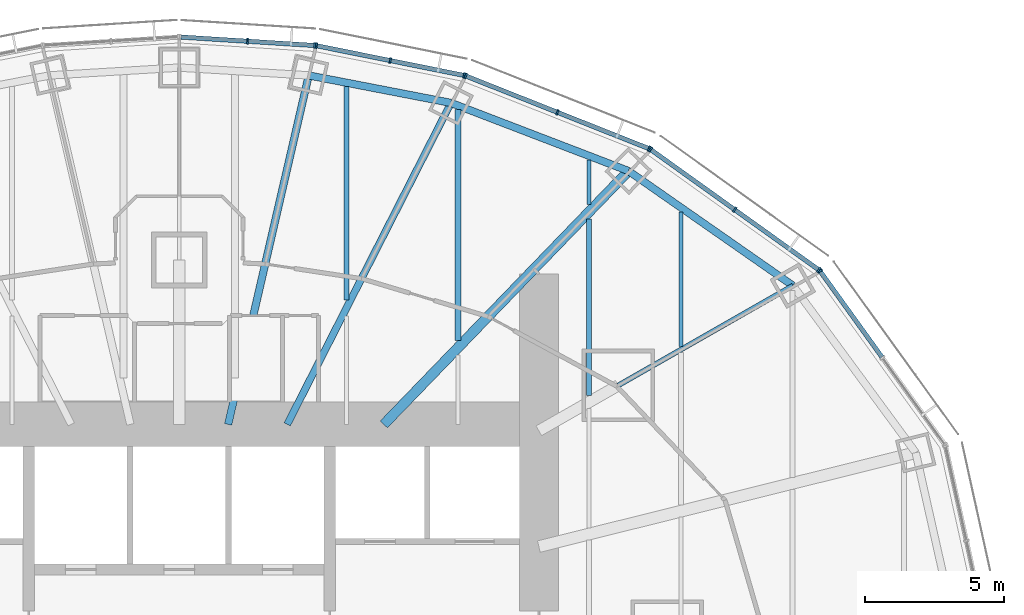
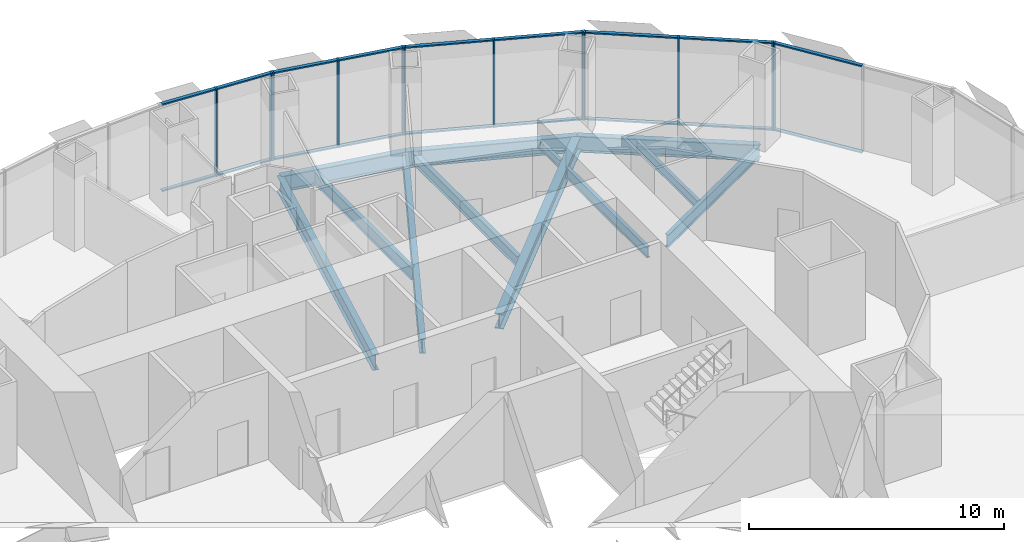
# One storey, part 8 of 18: 30 members, 12 beams, 5 elements without a shape of their own.
"""IFC4 building model written with IfcOpenShell, lengths in metres."""

from ifc_helpers import new_model, si_unit, direction, frame, origin, origin_2d, place, context, subcontext, project, spatial, rectangle, i_section, extrude, material, material_profile, profile_set, type_object, element, aggregate, save


model = new_model("IFC4")

# Units and contexts
model_context = context("Model", 3, precision=1e-05, world=origin(), true_north=direction((0.0, 1.0)))
body_context = subcontext(model_context, "Body", "Model", "MODEL_VIEW")
ifc_project = project(units=[si_unit("LENGTHUNIT", "METRE"), si_unit("AREAUNIT", "SQUARE_METRE"), si_unit("VOLUMEUNIT", "CUBIC_METRE"), si_unit("PLANEANGLEUNIT", "RADIAN"), si_unit("MASSUNIT", "GRAM", prefix="KILO")], contexts=[model_context])

# Site, building, storey
site_placement = place(None, origin())
site = spatial("IfcSite", under=ifc_project, at=site_placement, CompositionType="ELEMENT")
building_placement = place(site_placement, origin())
building = spatial("IfcBuilding", under=site, at=building_placement, Name="Lantaw Convention Tower", CompositionType="ELEMENT")
storey_placement = place(building_placement, frame((0.0, 0.0, 180.39990234375)))
storey = spatial("IfcBuildingStorey", under=building, at=storey_placement, Name="L42", CompositionType="ELEMENT", Elevation=180.39990234375)

# Beams
ifc_material_1 = material(Name="Steel ASTM A992", Category="steel")
ifc_material_profile_1 = material_profile(ifc_material_1, i_section(OverallWidth=0.2666015625, OverallDepth=0.76953125, WebThickness=0.015625, FlangeThickness=0.025390625, FilletRadius=0.0126953125, at=origin_2d()), Name="W30X132")
ifc_profile_set_1 = profile_set([ifc_material_profile_1], Name="Steel ASTM A992")
beam_type_1 = type_object("IfcBeamType", Name="Beam E W30X132", PredefinedType="SPANDREL", material=ifc_profile_set_1)
beam_1_placement = place(storey_placement, frame((22.013916015625, 12.579345703125, -0.53466796875), z_axis=(-0.820310765287, 0.57191804339, 0.0), x_axis=(-0.57191804339, -0.820310765287, 0.0)))
element("IfcBeam", 1, at=beam_1_placement, inside=storey, type_object=beam_type_1, Name="Edge beam 3", PredefinedType="SPANDREL", context=body_context, shape_type="SweptSolid", body=[
    extrude(i_section(OverallWidth=0.2666015625, OverallDepth=0.76953125, WebThickness=0.015625, FlangeThickness=0.025390625, FilletRadius=0.0126953125, at=origin_2d()), origin(), (0.0, 0.0, 1.0), 7.187744140625),
])
beam_2_placement = place(storey_placement, frame((16.11767578125, 16.690185546875, -0.53466796875), z_axis=(-0.933691081977, 0.358079549033, 0.0), x_axis=(-0.358079549033, -0.933691081977, 0.0)))
element("IfcBeam", 2, at=beam_2_placement, inside=storey, type_object=beam_type_1, Name="Edge beam 4", PredefinedType="SPANDREL", context=body_context, shape_type="SweptSolid", body=[
    extrude(i_section(OverallWidth=0.2666015625, OverallDepth=0.76953125, WebThickness=0.015625, FlangeThickness=0.025390625, FilletRadius=0.0126953125, at=origin_2d()), origin(), (0.0, 0.0, 1.0), 6.821533203125),
])
beam_3_placement = place(storey_placement, frame((9.74853515625, 19.1328125, -0.53466796875), z_axis=(-0.981796805654, 0.189934284446, 0.0), x_axis=(-0.189934284446, -0.981796805654, 0.0)))
element("IfcBeam", 3, at=beam_3_placement, inside=storey, type_object=beam_type_1, Name="Edge beam 5", PredefinedType="SPANDREL", context=body_context, shape_type="SweptSolid", body=[
    extrude(i_section(OverallWidth=0.2666015625, OverallDepth=0.76953125, WebThickness=0.015625, FlangeThickness=0.025390625, FilletRadius=0.0126953125, at=origin_2d()), origin(), (0.0, 0.0, 1.0), 5.1982421875),
])
ifc_material_profile_2 = material_profile(ifc_material_1, i_section(OverallWidth=0.177978515625, OverallDepth=0.599365234375, WebThickness=0.010009765625, FlangeThickness=0.012939453125, FilletRadius=0.012939453125, at=origin_2d()), Name="W24X55")
ifc_profile_set_2 = profile_set([ifc_material_profile_2], Name="Steel ASTM A992")
beam_type_2 = type_object("IfcBeamType", Name="Beam G W24X55", PredefinedType="BEAM", material=ifc_profile_set_2)
beam_4_placement = place(storey_placement, frame((15.75, 9.0, -0.44970703125), z_axis=(0.868245224608, 0.496135293993, 0.0), x_axis=(-0.496135293993, 0.868245224608, 0.0)))
element("IfcBeam", 4, at=beam_4_placement, inside=storey, type_object=beam_type_2, Name="Floor girder on ray 3", PredefinedType="BEAM", context=body_context, shape_type="SweptSolid", body=[
    extrude(i_section(OverallWidth=0.177978515625, OverallDepth=0.599365234375, WebThickness=0.010009765625, FlangeThickness=0.012939453125, FilletRadius=0.012939453125, at=origin_2d()), origin(), (0.0, 0.0, 1.0), 7.21435546875),
])
ifc_material_profile_3 = material_profile(ifc_material_1, i_section(OverallWidth=0.25390625, OverallDepth=0.700927734375, WebThickness=0.015380859375, FlangeThickness=0.02783203125, FilletRadius=0.01513671875, at=origin_2d()), Name="W27X129")
ifc_profile_set_3 = profile_set([ifc_material_profile_3], Name="Steel ASTM A992")
beam_type_3 = type_object("IfcBeamType", Name="Beam G W27X129", PredefinedType="BEAM", material=ifc_profile_set_3)
beam_5_placement = place(storey_placement, frame((3.872314453125, 7.60009765625, -0.50048828125), z_axis=(0.453991051051, 0.891006243281, 0.0), x_axis=(-0.891006243281, 0.453991051051, 0.0)))
element("IfcBeam", 5, at=beam_5_placement, inside=storey, type_object=beam_type_3, Name="Floor girder on ray 5", PredefinedType="BEAM", context=body_context, shape_type="SweptSolid", body=[
    extrude(i_section(OverallWidth=0.25390625, OverallDepth=0.700927734375, WebThickness=0.015380859375, FlangeThickness=0.02783203125, FilletRadius=0.01513671875, at=origin_2d()), origin(), (0.0, 0.0, 1.0), 12.943359375),
])
ifc_material_profile_4 = material_profile(ifc_material_1, i_section(OverallWidth=0.360595703125, OverallDepth=0.72900390625, WebThickness=0.023193359375, FlangeThickness=0.041015625, FilletRadius=0.0126953125, at=origin_2d()), Name="W27X235")
ifc_profile_set_4 = profile_set([ifc_material_profile_4], Name="Steel ASTM A992")
beam_type_4 = type_object("IfcBeamType", Name="Beam G W27X235", PredefinedType="BEAM", material=ifc_profile_set_4)
beam_6_placement = place(storey_placement, frame((7.33935546875, 7.60009765625, -0.514404296875), z_axis=(0.694663467407, 0.719334878239, 0.0), x_axis=(-0.719334878239, 0.694663467407, 0.0)))
element("IfcBeam", 6, at=beam_6_placement, inside=storey, type_object=beam_type_4, Name="Floor girder on ray 4", PredefinedType="BEAM", context=body_context, shape_type="SweptSolid", body=[
    extrude(i_section(OverallWidth=0.360595703125, OverallDepth=0.72900390625, WebThickness=0.023193359375, FlangeThickness=0.041015625, FilletRadius=0.0126953125, at=origin_2d()), origin(), (0.0, 0.0, 1.0), 12.63671875),
])
ifc_material_profile_5 = material_profile(ifc_material_1, i_section(OverallWidth=0.2666015625, OverallDepth=0.7568359375, WebThickness=0.013916015625, FlangeThickness=0.019287109375, FilletRadius=0.0126953125, at=origin_2d()), Name="W30X108")
ifc_profile_set_5 = profile_set([ifc_material_profile_5], Name="Steel ASTM A992")
beam_type_5 = type_object("IfcBeamType", Name="Beam G W30X108", PredefinedType="BEAM", material=ifc_profile_set_5)
beam_7_placement = place(storey_placement, frame((1.754638671875, 7.60009765625, -0.5283203125), z_axis=(0.224944153104, 0.974371658036, 0.0), x_axis=(-0.974371658036, 0.224944153104, 0.0)))
element("IfcBeam", 7, at=beam_7_placement, inside=storey, type_object=beam_type_5, Name="Floor girder on ray 6", PredefinedType="BEAM", context=body_context, shape_type="SweptSolid", body=[
    extrude(i_section(OverallWidth=0.2666015625, OverallDepth=0.7568359375, WebThickness=0.013916015625, FlangeThickness=0.019287109375, FilletRadius=0.0126953125, at=origin_2d()), origin(), (0.0, 0.0, 1.0), 12.849365234375),
])
ifc_material_profile_6 = material_profile(ifc_material_1, i_section(OverallWidth=0.140380859375, OverallDepth=0.40380859375, WebThickness=0.007080078125, FlangeThickness=0.01123046875, FilletRadius=0.01025390625, at=origin_2d()), Name="W16X31")
ifc_profile_set_6 = profile_set([ifc_material_profile_6], Name="Steel ASTM A992")
beam_type_6 = type_object("IfcBeamType", Name="Beam J W16X31", PredefinedType="JOIST", material=ifc_profile_set_6)
beam_8_placement = place(storey_placement, frame((14.699951171875, 15.48193359375, -0.351806640625), z_axis=(0.0, 1.0, 0.0), x_axis=(-1.0, 0.0, 0.0)))
element("IfcBeam", 8, at=beam_8_placement, inside=storey, type_object=beam_type_6, Name="Floor joist", PredefinedType="JOIST", context=body_context, shape_type="SweptSolid", body=[
    extrude(i_section(OverallWidth=0.140380859375, OverallDepth=0.40380859375, WebThickness=0.007080078125, FlangeThickness=0.01123046875, FilletRadius=0.01025390625, at=origin_2d()), origin(), (0.0, 0.0, 1.0), 1.609130859375),
])
ifc_material_profile_7 = material_profile(ifc_material_1, i_section(OverallWidth=0.15234375, OverallDepth=0.449462890625, WebThickness=0.007568359375, FlangeThickness=0.0107421875, FilletRadius=0.01025390625, at=origin_2d()), Name="W18X35")
ifc_profile_set_7 = profile_set([ifc_material_profile_7], Name="Steel ASTM A992")
beam_type_7 = type_object("IfcBeamType", Name="Beam J W18X35", PredefinedType="JOIST", material=ifc_profile_set_7)
beam_9_placement = place(storey_placement, frame((18.0, 10.38818359375, -0.374755859375), z_axis=(0.0, 1.0, 0.0), x_axis=(-1.0, 0.0, 0.0)))
element("IfcBeam", 9, at=beam_9_placement, inside=storey, type_object=beam_type_7, Name="Floor joist", PredefinedType="JOIST", context=body_context, shape_type="SweptSolid", body=[
    extrude(i_section(OverallWidth=0.15234375, OverallDepth=0.449462890625, WebThickness=0.007568359375, FlangeThickness=0.0107421875, FilletRadius=0.01025390625, at=origin_2d()), origin(), (0.0, 0.0, 1.0), 4.8271484375),
])
ifc_material_profile_8 = material_profile(ifc_material_1, i_section(OverallWidth=0.1650390625, OverallDepth=0.52587890625, WebThickness=0.0087890625, FlangeThickness=0.011474609375, FilletRadius=0.0126953125, at=origin_2d()), Name="W21X44")
ifc_profile_set_8 = profile_set([ifc_material_profile_8], Name="Steel ASTM A992")
beam_type_8 = type_object("IfcBeamType", Name="Beam J W21X44", PredefinedType="JOIST", material=ifc_profile_set_8)
beam_10_placement = place(storey_placement, frame((14.699951171875, 8.632568359375, -0.412841796875), z_axis=(0.0, 1.0, 0.0), x_axis=(-1.0, 0.0, 0.0)))
element("IfcBeam", 10, at=beam_10_placement, inside=storey, type_object=beam_type_8, Name="Floor joist", PredefinedType="JOIST", context=body_context, shape_type="SweptSolid", body=[
    extrude(i_section(OverallWidth=0.1650390625, OverallDepth=0.52587890625, WebThickness=0.0087890625, FlangeThickness=0.011474609375, FilletRadius=0.0126953125, at=origin_2d()), origin(), (0.0, 0.0, 1.0), 6.330078125),
])
ifc_material_profile_9 = material_profile(ifc_material_1, i_section(OverallWidth=0.2099609375, OverallDepth=0.535888671875, WebThickness=0.010986328125, FlangeThickness=0.017333984375, FilletRadius=0.012939453125, at=origin_2d()), Name="W21X68")
ifc_profile_set_9 = profile_set([ifc_material_profile_9], Name="Steel ASTM A992")
beam_type_9 = type_object("IfcBeamType", Name="Beam J W21X68", PredefinedType="JOIST", material=ifc_profile_set_9)
beam_11_placement = place(storey_placement, frame((10.0, 10.614990234375, -0.41796875), z_axis=(0.0, 1.0, 0.0), x_axis=(-1.0, 0.0, 0.0)))
element("IfcBeam", 11, at=beam_11_placement, inside=storey, type_object=beam_type_9, Name="Floor joist", PredefinedType="JOIST", context=body_context, shape_type="SweptSolid", body=[
    extrude(i_section(OverallWidth=0.2099609375, OverallDepth=0.535888671875, WebThickness=0.010986328125, FlangeThickness=0.017333984375, FilletRadius=0.012939453125, at=origin_2d()), origin(), (0.0, 0.0, 1.0), 8.278564453125),
])
ifc_material_profile_10 = material_profile(ifc_material_1, i_section(OverallWidth=0.177978515625, OverallDepth=0.599365234375, WebThickness=0.010009765625, FlangeThickness=0.012939453125, FilletRadius=0.012939453125, at=origin_2d()), Name="W24X55")
ifc_profile_set_10 = profile_set([ifc_material_profile_10], Name="Steel ASTM A992")
beam_type_10 = type_object("IfcBeamType", Name="Beam J W24X55", PredefinedType="JOIST", material=ifc_profile_set_10)
beam_12_placement = place(storey_placement, frame((6.0, 12.055419921875, -0.44970703125), z_axis=(0.0, 1.0, 0.0), x_axis=(-1.0, 0.0, 0.0)))
element("IfcBeam", 12, at=beam_12_placement, inside=storey, type_object=beam_type_10, Name="Floor joist", PredefinedType="JOIST", context=body_context, shape_type="SweptSolid", body=[
    extrude(i_section(OverallWidth=0.177978515625, OverallDepth=0.599365234375, WebThickness=0.010009765625, FlangeThickness=0.012939453125, FilletRadius=0.012939453125, at=origin_2d()), origin(), (0.0, 0.0, 1.0), 7.666748046875),
])

# Curtain wall, member
ifc_material_2 = material(Name="Aluminium framed curtain wall", Category="aluminium")
curtain_wall_type = type_object("IfcCurtainWallType", Name="Office curtain wall low rise, pale aluminium", PredefinedType="USERDEFINED", material=ifc_material_2)
curtain_wall_1_placement = place(storey_placement, origin())
curtain_wall_1 = element("IfcCurtainWall", 13, at=curtain_wall_1_placement, inside=storey, type_object=curtain_wall_type, Name="Office curtain wall low rise, pale aluminium L42", ObjectType="UNITISED CURTAIN WALL", PredefinedType="USERDEFINED")
ifc_material_3 = material(Name="Aluminium 6063-T6", Category="aluminium")
ifc_material_profile_11 = material_profile(ifc_material_3, rectangle(XDim=0.199951171875, YDim=0.06494140625, at=origin_2d()), Name="CW-O1 mullion 65x200")
ifc_profile_set_11 = profile_set([ifc_material_profile_11], Name="Aluminium 6063-T6")
member_type_1 = type_object("IfcMemberType", Name="CW-O1 mullion 65x200", PredefinedType="MULLION", material=ifc_profile_set_11)
member_1_placement = place(storey_placement, frame((22.988037109375, 13.098876953125, -0.14990234375), z_axis=(0.0, 0.0, 1.0), x_axis=(-0.811384633629, -0.584512597221, 0.0)))
member_1 = element("IfcMember", 14, at=member_1_placement, type_object=member_type_1, Name="CW-O1 mullion 3", PredefinedType="MULLION", context=body_context, shape_type="SweptSolid", body=[
    extrude(rectangle(XDim=0.199951171875, YDim=0.06494140625, at=origin_2d()), origin(), (0.0, 0.0, 1.0), 4.199951171875),
])

# Curtain wall, members
curtain_wall_2_placement = place(storey_placement, origin())
curtain_wall_2 = element("IfcCurtainWall", 15, at=curtain_wall_2_placement, inside=storey, type_object=curtain_wall_type, Name="Office curtain wall low rise, pale aluminium L42", ObjectType="UNITISED CURTAIN WALL", PredefinedType="USERDEFINED")
member_2_placement = place(storey_placement, frame((22.942626953125, 13.14404296875, -0.14990234375), z_axis=(0.0, 0.0, 1.0), x_axis=(-0.581972695693, -0.813208325995, 0.0)))
member_2 = element("IfcMember", 16, at=member_2_placement, type_object=member_type_1, Name="CW-O1 mullion 1", PredefinedType="MULLION", context=body_context, shape_type="SweptSolid", body=[
    extrude(rectangle(XDim=0.199951171875, YDim=0.06494140625, at=origin_2d()), origin(), (0.0, 0.0, 1.0), 4.199951171875),
])
member_3_placement = place(storey_placement, frame((19.92529296875, 15.303466796875, -0.14990234375), z_axis=(0.0, 0.0, 1.0), x_axis=(-0.581972695693, -0.813208325995, 0.0)))
member_3 = element("IfcMember", 17, at=member_3_placement, type_object=member_type_1, Name="CW-O1 mullion 2", PredefinedType="MULLION", context=body_context, shape_type="SweptSolid", body=[
    extrude(rectangle(XDim=0.199951171875, YDim=0.06494140625, at=origin_2d()), origin(), (0.0, 0.0, 1.0), 4.199951171875),
])
member_4_placement = place(storey_placement, frame((16.908203125, 17.462646484375, -0.14990234375), z_axis=(0.0, 0.0, 1.0), x_axis=(-0.581972695693, -0.813208325995, 0.0)))
member_4 = element("IfcMember", 18, at=member_4_placement, type_object=member_type_1, Name="CW-O1 mullion 3", PredefinedType="MULLION", context=body_context, shape_type="SweptSolid", body=[
    extrude(rectangle(XDim=0.199951171875, YDim=0.06494140625, at=origin_2d()), origin(), (0.0, 0.0, 1.0), 4.199951171875),
])

curtain_wall_3_placement = place(storey_placement, origin())
curtain_wall_3 = element("IfcCurtainWall", 19, at=curtain_wall_3_placement, inside=storey, type_object=curtain_wall_type, Name="Office curtain wall low rise, pale aluminium L42", ObjectType="UNITISED CURTAIN WALL", PredefinedType="USERDEFINED")
member_5_placement = place(storey_placement, frame((16.8515625, 17.49365234375, -0.14990234375), z_axis=(0.0, 0.0, 1.0), x_axis=(-0.368701907483, -0.929547687544, 0.0)))
member_5 = element("IfcMember", 20, at=member_5_placement, type_object=member_type_1, Name="CW-O1 mullion 1", PredefinedType="MULLION", context=body_context, shape_type="SweptSolid", body=[
    extrude(rectangle(XDim=0.199951171875, YDim=0.06494140625, at=origin_2d()), origin(), (0.0, 0.0, 1.0), 4.199951171875),
])
member_6_placement = place(storey_placement, frame((13.56494140625, 18.797119140625, -0.14990234375), z_axis=(0.0, 0.0, 1.0), x_axis=(-0.368701907483, -0.929547687544, 0.0)))
member_6 = element("IfcMember", 21, at=member_6_placement, type_object=member_type_1, Name="CW-O1 mullion 2", PredefinedType="MULLION", context=body_context, shape_type="SweptSolid", body=[
    extrude(rectangle(XDim=0.199951171875, YDim=0.06494140625, at=origin_2d()), origin(), (0.0, 0.0, 1.0), 4.199951171875),
])
member_7_placement = place(storey_placement, frame((10.2783203125, 20.100830078125, -0.14990234375), z_axis=(0.0, 0.0, 1.0), x_axis=(-0.368701907483, -0.929547687544, 0.0)))
member_7 = element("IfcMember", 22, at=member_7_placement, type_object=member_type_1, Name="CW-O1 mullion 3", PredefinedType="MULLION", context=body_context, shape_type="SweptSolid", body=[
    extrude(rectangle(XDim=0.199951171875, YDim=0.06494140625, at=origin_2d()), origin(), (0.0, 0.0, 1.0), 4.199951171875),
])

curtain_wall_4_placement = place(storey_placement, origin())
curtain_wall_4 = element("IfcCurtainWall", 23, at=curtain_wall_4_placement, inside=storey, type_object=curtain_wall_type, Name="Office curtain wall low rise, pale aluminium L42", ObjectType="UNITISED CURTAIN WALL", PredefinedType="USERDEFINED")
member_8_placement = place(storey_placement, frame((10.216064453125, 20.119140625, -0.14990234375), z_axis=(0.0, 0.0, 1.0), x_axis=(-0.197506809659, -0.980301514912, 0.0)))
member_8 = element("IfcMember", 24, at=member_8_placement, type_object=member_type_1, Name="CW-O1 mullion 1", PredefinedType="MULLION", context=body_context, shape_type="SweptSolid", body=[
    extrude(rectangle(XDim=0.199951171875, YDim=0.06494140625, at=origin_2d()), origin(), (0.0, 0.0, 1.0), 4.199951171875),
])
member_9_placement = place(storey_placement, frame((7.5703125, 20.65234375, -0.14990234375), z_axis=(0.0, 0.0, 1.0), x_axis=(-0.197506809659, -0.980301514912, 0.0)))
member_9 = element("IfcMember", 25, at=member_9_placement, type_object=member_type_1, Name="CW-O1 mullion 2", PredefinedType="MULLION", context=body_context, shape_type="SweptSolid", body=[
    extrude(rectangle(XDim=0.199951171875, YDim=0.06494140625, at=origin_2d()), origin(), (0.0, 0.0, 1.0), 4.199951171875),
])
member_10_placement = place(storey_placement, frame((4.92431640625, 21.185302734375, -0.14990234375), z_axis=(0.0, 0.0, 1.0), x_axis=(-0.197506809659, -0.980301514912, 0.0)))
member_10 = element("IfcMember", 26, at=member_10_placement, type_object=member_type_1, Name="CW-O1 mullion 3", PredefinedType="MULLION", context=body_context, shape_type="SweptSolid", body=[
    extrude(rectangle(XDim=0.199951171875, YDim=0.06494140625, at=origin_2d()), origin(), (0.0, 0.0, 1.0), 4.199951171875),
])

curtain_wall_5_placement = place(storey_placement, origin())
curtain_wall_5 = element("IfcCurtainWall", 27, at=curtain_wall_5_placement, inside=storey, type_object=curtain_wall_type, Name="Office curtain wall low rise, pale aluminium L42", ObjectType="UNITISED CURTAIN WALL", PredefinedType="USERDEFINED")
member_11_placement = place(storey_placement, frame((4.860107421875, 21.19384765625, -0.14990234375), z_axis=(0.0, 0.0, 1.0), x_axis=(-0.062865059466, -0.998022035978, 0.0)))
member_11 = element("IfcMember", 28, at=member_11_placement, type_object=member_type_1, Name="CW-O1 mullion 1", PredefinedType="MULLION", context=body_context, shape_type="SweptSolid", body=[
    extrude(rectangle(XDim=0.199951171875, YDim=0.06494140625, at=origin_2d()), origin(), (0.0, 0.0, 1.0), 4.199951171875),
])
member_12_placement = place(storey_placement, frame((2.4462890625, 21.345947265625, -0.14990234375), z_axis=(0.0, 0.0, 1.0), x_axis=(-0.062865059466, -0.998022035978, 0.0)))
member_12 = element("IfcMember", 29, at=member_12_placement, type_object=member_type_1, Name="CW-O1 mullion 2", PredefinedType="MULLION", context=body_context, shape_type="SweptSolid", body=[
    extrude(rectangle(XDim=0.199951171875, YDim=0.06494140625, at=origin_2d()), origin(), (0.0, 0.0, 1.0), 4.199951171875),
])

# Member
ifc_material_profile_12 = material_profile(ifc_material_3, rectangle(XDim=0.159912109375, YDim=0.06494140625, at=origin_2d()), Name="CW-O1 transom 65x160")
ifc_profile_set_12 = profile_set([ifc_material_profile_12], Name="Aluminium 6063-T6")
member_type_2 = type_object("IfcMemberType", Name="CW-O1 transom 65x160", PredefinedType="USERDEFINED", material=ifc_profile_set_12)
member_13_placement = place(storey_placement, frame((25.209228515625, 10.015625, -0.117431640625), z_axis=(-0.584512973979, 0.811384362217, 0.0), x_axis=(-0.811384362217, -0.584512973979, 0.0)))
member_13 = element("IfcMember", 30, at=member_13_placement, type_object=member_type_2, Name="CW-O1 transom 2.1", ObjectType="TRANSOM", PredefinedType="USERDEFINED", context=body_context, shape_type="SweptSolid", body=[
    extrude(rectangle(XDim=0.159912109375, YDim=0.06494140625, at=origin_2d()), origin(), (0.0, 0.0, 1.0), 3.767578125),
])

member_14_placement = place(storey_placement, frame((25.209228515625, 10.015625, 4.017578125), z_axis=(-0.584512973979, 0.811384362217, 0.0), x_axis=(-0.811384362217, -0.584512973979, 0.0)))
member_14 = element("IfcMember", 31, at=member_14_placement, type_object=member_type_2, Name="CW-O1 transom 2.2", ObjectType="TRANSOM", PredefinedType="USERDEFINED", context=body_context, shape_type="SweptSolid", body=[
    extrude(rectangle(XDim=0.159912109375, YDim=0.06494140625, at=origin_2d()), origin(), (0.0, 0.0, 1.0), 3.767578125),
])

aggregate(curtain_wall_1, [member_1, member_13, member_14])

member_15_placement = place(storey_placement, frame((22.916259765625, 13.1630859375, -0.117431640625), z_axis=(-0.813221785972, 0.581953887194, 0.0), x_axis=(-0.581953887194, -0.813221785972, 0.0)))
member_15 = element("IfcMember", 32, at=member_15_placement, type_object=member_type_2, Name="CW-O1 transom 1.1", ObjectType="TRANSOM", PredefinedType="USERDEFINED", context=body_context, shape_type="SweptSolid", body=[
    extrude(rectangle(XDim=0.159912109375, YDim=0.06494140625, at=origin_2d()), origin(), (0.0, 0.0, 1.0), 3.645263671875),
])

member_16_placement = place(storey_placement, frame((22.916259765625, 13.1630859375, 4.017578125), z_axis=(-0.813221785972, 0.581953887194, 0.0), x_axis=(-0.581953887194, -0.813221785972, 0.0)))
member_16 = element("IfcMember", 33, at=member_16_placement, type_object=member_type_2, Name="CW-O1 transom 1.2", ObjectType="TRANSOM", PredefinedType="USERDEFINED", context=body_context, shape_type="SweptSolid", body=[
    extrude(rectangle(XDim=0.159912109375, YDim=0.06494140625, at=origin_2d()), origin(), (0.0, 0.0, 1.0), 3.645263671875),
])

member_17_placement = place(storey_placement, frame((19.89892578125, 15.322265625, -0.117431640625), z_axis=(-0.813190089133, 0.581998177777, 0.0), x_axis=(-0.581998177777, -0.813190089133, 0.0)))
member_17 = element("IfcMember", 34, at=member_17_placement, type_object=member_type_2, Name="CW-O1 transom 2.1", ObjectType="TRANSOM", PredefinedType="USERDEFINED", context=body_context, shape_type="SweptSolid", body=[
    extrude(rectangle(XDim=0.159912109375, YDim=0.06494140625, at=origin_2d()), origin(), (0.0, 0.0, 1.0), 3.645263671875),
])

member_18_placement = place(storey_placement, frame((19.89892578125, 15.322265625, 4.017578125), z_axis=(-0.813190089133, 0.581998177777, 0.0), x_axis=(-0.581998177777, -0.813190089133, 0.0)))
member_18 = element("IfcMember", 35, at=member_18_placement, type_object=member_type_2, Name="CW-O1 transom 2.2", ObjectType="TRANSOM", PredefinedType="USERDEFINED", context=body_context, shape_type="SweptSolid", body=[
    extrude(rectangle(XDim=0.159912109375, YDim=0.06494140625, at=origin_2d()), origin(), (0.0, 0.0, 1.0), 3.645263671875),
])

aggregate(curtain_wall_2, [member_2, member_3, member_4, member_15, member_16, member_17, member_18])

member_19_placement = place(storey_placement, frame((16.8212890625, 17.505615234375, -0.117431640625), z_axis=(-0.929564188507, 0.368660303592, 0.0), x_axis=(-0.368660303592, -0.929564188507, 0.0)))
member_19 = element("IfcMember", 36, at=member_19_placement, type_object=member_type_2, Name="CW-O1 transom 1.1", ObjectType="TRANSOM", PredefinedType="USERDEFINED", context=body_context, shape_type="SweptSolid", body=[
    extrude(rectangle(XDim=0.159912109375, YDim=0.06494140625, at=origin_2d()), origin(), (0.0, 0.0, 1.0), 3.470703125),
])

member_20_placement = place(storey_placement, frame((16.8212890625, 17.505615234375, 4.017578125), z_axis=(-0.929564188507, 0.368660303592, 0.0), x_axis=(-0.368660303592, -0.929564188507, 0.0)))
member_20 = element("IfcMember", 37, at=member_20_placement, type_object=member_type_2, Name="CW-O1 transom 1.2", ObjectType="TRANSOM", PredefinedType="USERDEFINED", context=body_context, shape_type="SweptSolid", body=[
    extrude(rectangle(XDim=0.159912109375, YDim=0.06494140625, at=origin_2d()), origin(), (0.0, 0.0, 1.0), 3.470703125),
])

member_21_placement = place(storey_placement, frame((13.53466796875, 18.80908203125, -0.117431640625), z_axis=(-0.929540081544, 0.368721082668, 0.0), x_axis=(-0.368721082668, -0.929540081544, 0.0)))
member_21 = element("IfcMember", 38, at=member_21_placement, type_object=member_type_2, Name="CW-O1 transom 2.1", ObjectType="TRANSOM", PredefinedType="USERDEFINED", context=body_context, shape_type="SweptSolid", body=[
    extrude(rectangle(XDim=0.159912109375, YDim=0.06494140625, at=origin_2d()), origin(), (0.0, 0.0, 1.0), 3.470947265625),
])

member_22_placement = place(storey_placement, frame((13.53466796875, 18.80908203125, 4.017578125), z_axis=(-0.929540081544, 0.368721082668, 0.0), x_axis=(-0.368721082668, -0.929540081544, 0.0)))
member_22 = element("IfcMember", 39, at=member_22_placement, type_object=member_type_2, Name="CW-O1 transom 2.2", ObjectType="TRANSOM", PredefinedType="USERDEFINED", context=body_context, shape_type="SweptSolid", body=[
    extrude(rectangle(XDim=0.159912109375, YDim=0.06494140625, at=origin_2d()), origin(), (0.0, 0.0, 1.0), 3.470947265625),
])

aggregate(curtain_wall_3, [member_5, member_6, member_7, member_19, member_20, member_21, member_22])

member_23_placement = place(storey_placement, frame((10.184326171875, 20.125732421875, -0.117431640625), z_axis=(-0.980301643003, 0.197506173891, 0.0), x_axis=(-0.197506173891, -0.980301643003, 0.0)))
member_23 = element("IfcMember", 40, at=member_23_placement, type_object=member_type_2, Name="CW-O1 transom 1.1", ObjectType="TRANSOM", PredefinedType="USERDEFINED", context=body_context, shape_type="SweptSolid", body=[
    extrude(rectangle(XDim=0.159912109375, YDim=0.06494140625, at=origin_2d()), origin(), (0.0, 0.0, 1.0), 2.63427734375),
])

member_24_placement = place(storey_placement, frame((10.184326171875, 20.125732421875, 4.017578125), z_axis=(-0.980301643003, 0.197506173891, 0.0), x_axis=(-0.197506173891, -0.980301643003, 0.0)))
member_24 = element("IfcMember", 41, at=member_24_placement, type_object=member_type_2, Name="CW-O1 transom 1.2", ObjectType="TRANSOM", PredefinedType="USERDEFINED", context=body_context, shape_type="SweptSolid", body=[
    extrude(rectangle(XDim=0.159912109375, YDim=0.06494140625, at=origin_2d()), origin(), (0.0, 0.0, 1.0), 2.63427734375),
])

member_25_placement = place(storey_placement, frame((7.538330078125, 20.65869140625, -0.117431640625), z_axis=(-0.980298027092, 0.197524120247, 0.0), x_axis=(-0.197524120247, -0.980298027092, 0.0)))
member_25 = element("IfcMember", 42, at=member_25_placement, type_object=member_type_2, Name="CW-O1 transom 2.1", ObjectType="TRANSOM", PredefinedType="USERDEFINED", context=body_context, shape_type="SweptSolid", body=[
    extrude(rectangle(XDim=0.159912109375, YDim=0.06494140625, at=origin_2d()), origin(), (0.0, 0.0, 1.0), 2.634033203125),
])

member_26_placement = place(storey_placement, frame((7.538330078125, 20.65869140625, 4.017578125), z_axis=(-0.980298027092, 0.197524120247, 0.0), x_axis=(-0.197524120247, -0.980298027092, 0.0)))
member_26 = element("IfcMember", 43, at=member_26_placement, type_object=member_type_2, Name="CW-O1 transom 2.2", ObjectType="TRANSOM", PredefinedType="USERDEFINED", context=body_context, shape_type="SweptSolid", body=[
    extrude(rectangle(XDim=0.159912109375, YDim=0.06494140625, at=origin_2d()), origin(), (0.0, 0.0, 1.0), 2.634033203125),
])

aggregate(curtain_wall_4, [member_8, member_9, member_10, member_23, member_24, member_25, member_26])

member_27_placement = place(storey_placement, frame((4.82763671875, 21.19580078125, -0.117431640625), z_axis=(-0.998022188463, 0.062862638625, 0.0), x_axis=(-0.062862638625, -0.998022188463, 0.0)))
member_27 = element("IfcMember", 44, at=member_27_placement, type_object=member_type_2, Name="CW-O1 transom 1.1", ObjectType="TRANSOM", PredefinedType="USERDEFINED", context=body_context, shape_type="SweptSolid", body=[
    extrude(rectangle(XDim=0.159912109375, YDim=0.06494140625, at=origin_2d()), origin(), (0.0, 0.0, 1.0), 2.353515625),
])

member_28_placement = place(storey_placement, frame((4.82763671875, 21.19580078125, 4.017578125), z_axis=(-0.998022188463, 0.062862638625, 0.0), x_axis=(-0.062862638625, -0.998022188463, 0.0)))
member_28 = element("IfcMember", 45, at=member_28_placement, type_object=member_type_2, Name="CW-O1 transom 1.2", ObjectType="TRANSOM", PredefinedType="USERDEFINED", context=body_context, shape_type="SweptSolid", body=[
    extrude(rectangle(XDim=0.159912109375, YDim=0.06494140625, at=origin_2d()), origin(), (0.0, 0.0, 1.0), 2.353515625),
])

member_29_placement = place(storey_placement, frame((2.413818359375, 21.347900390625, -0.117431640625), z_axis=(-0.998022188463, 0.062862638625, 0.0), x_axis=(-0.062862638625, -0.998022188463, 0.0)))
member_29 = element("IfcMember", 46, at=member_29_placement, type_object=member_type_2, Name="CW-O1 transom 2.1", ObjectType="TRANSOM", PredefinedType="USERDEFINED", context=body_context, shape_type="SweptSolid", body=[
    extrude(rectangle(XDim=0.159912109375, YDim=0.06494140625, at=origin_2d()), origin(), (0.0, 0.0, 1.0), 2.353515625),
])

member_30_placement = place(storey_placement, frame((2.413818359375, 21.347900390625, 4.017578125), z_axis=(-0.998022188463, 0.062862638625, 0.0), x_axis=(-0.062862638625, -0.998022188463, 0.0)))
member_30 = element("IfcMember", 47, at=member_30_placement, type_object=member_type_2, Name="CW-O1 transom 2.2", ObjectType="TRANSOM", PredefinedType="USERDEFINED", context=body_context, shape_type="SweptSolid", body=[
    extrude(rectangle(XDim=0.159912109375, YDim=0.06494140625, at=origin_2d()), origin(), (0.0, 0.0, 1.0), 2.353515625),
])

aggregate(curtain_wall_5, [member_11, member_12, member_27, member_28, member_29, member_30])

save(model, "model.ifc")
